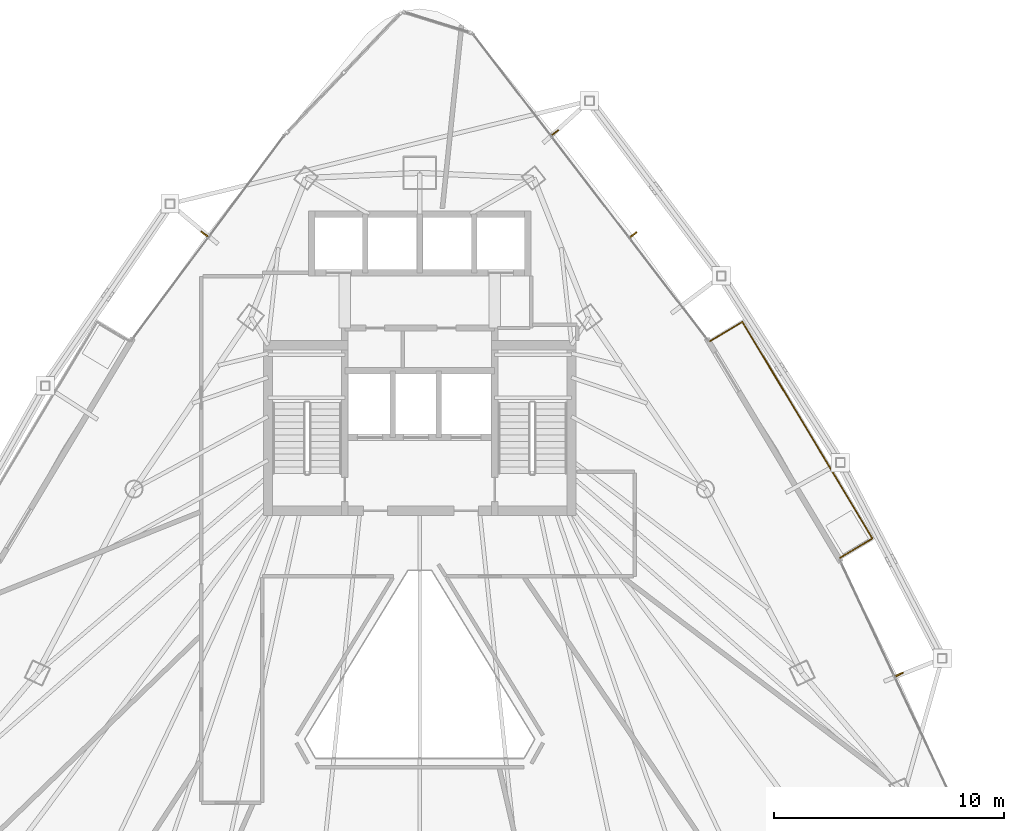
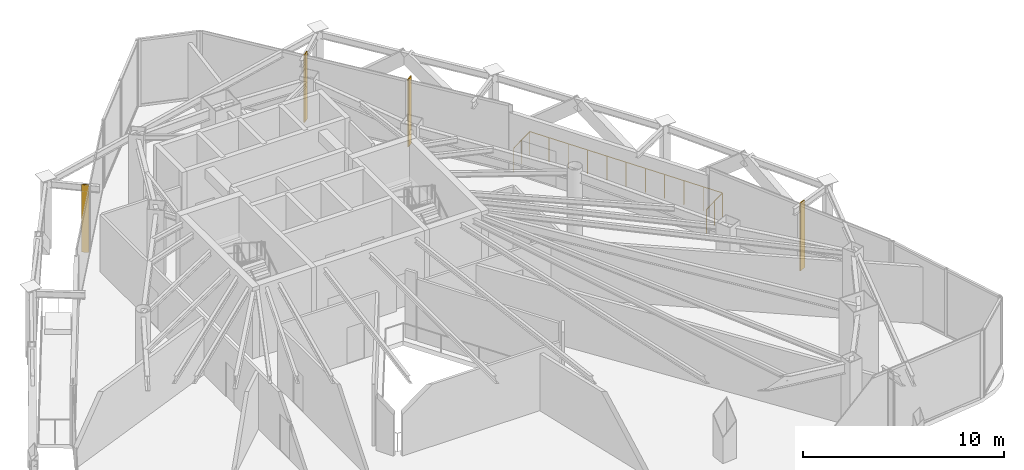
# One storey, part 28 of 28: 4 shading devices, 1 railing.
"""IFC4 building model written with IfcOpenShell, lengths in metres."""

from ifc_helpers import new_model, si_unit, direction, frame, origin, origin_2d, place, context, subcontext, project, spatial, rectangle, circle, extrude, material, layer, layer_set, type_object, element, save


model = new_model("IFC4")

# Units and contexts
model_context = context("Model", 3, precision=1e-05, world=origin(), true_north=direction((0.0, 1.0)))
body_context = subcontext(model_context, "Body", "Model", "MODEL_VIEW")
ifc_project = project(units=[si_unit("LENGTHUNIT", "METRE"), si_unit("AREAUNIT", "SQUARE_METRE"), si_unit("VOLUMEUNIT", "CUBIC_METRE"), si_unit("PLANEANGLEUNIT", "RADIAN"), si_unit("MASSUNIT", "GRAM", prefix="KILO")], contexts=[model_context])

# Site, building, storey
site_placement = place(None, origin())
site = spatial("IfcSite", under=ifc_project, at=site_placement, CompositionType="ELEMENT")
building_placement = place(site_placement, origin())
building = spatial("IfcBuilding", under=site, at=building_placement, Name="Orvanel Arch Residences", CompositionType="ELEMENT")
storey_placement = place(building_placement, frame((0.0, 0.0, 146.300048828125)))
storey = spatial("IfcBuildingStorey", under=building, at=storey_placement, Name="L41", CompositionType="ELEMENT", Elevation=146.300048828125)

# Shading devices
ifc_material = material(Name="Bronze-anodised aluminium AA6063-T6", Category="aluminium")
ifc_layer = layer(ifc_material, 0.06005859375)
ifc_layer_set = layer_set([ifc_layer], Name="Bronze-anodised aluminium AA6063-T6")
shading_device_type = type_object("IfcShadingDeviceType", Name="FIN-BRZ-380", PredefinedType="USERDEFINED", material=ifc_layer_set)
for number, where, z_axis, x_axis, name in (
    (1, (23.635986328125, 38.737060546875, 0.0), (0.0, 0.0, 1.0), (-0.801775644244, 0.597625146976, 0.0), "L41 Anodised Bronze Mullion FIN 01"),
    (2, (53.85791015625, 19.575927734375, 0.0), (0.0, 0.0, 1.0), (0.904827052466, 0.425779291565, 0.0), "L41 Anodised Bronze Mullion FIN 01"),
    (3, (42.291015625, 38.705078125, 0.0), (0.0, 0.0, 1.0), (0.793353340291, 0.608761429009, 0.0), "L41 Anodised Bronze Mullion FIN 01"),
    (4, (38.884033203125, 43.14697265625, 0.0), (0.0, 0.0, 1.0), (0.793353340291, 0.608761429009, 0.0), "L41 Anodised Bronze Mullion FIN 02"),
):
    element("IfcShadingDevice", number, at=place(storey_placement, frame(where, z_axis=z_axis, x_axis=x_axis)), inside=storey, type_object=shading_device_type, Name=name, ObjectType="FIN", PredefinedType="USERDEFINED", context=body_context, shape_type="SweptSolid", body=[
        extrude(rectangle(XDim=0.3798828125, YDim=0.06005859375, at=origin_2d()), origin(), (0.0, 0.0, 1.0), 4.110107421875),
    ])

# Railing
railing_type = type_object("IfcRailingType", Name="RL-BAL-1480", PredefinedType="BALUSTRADE", material=ifc_material)
railing_placement = place(storey_placement, frame((51.282958984375, 24.65087890625, 0.0)))
element("IfcRailing", 5, at=railing_placement, inside=storey, type_object=railing_type, Name="L41 Balcony Perimeter Guardrail Face 3", PredefinedType="BALUSTRADE", context=body_context, shape_type="SweptSolid", body=[
    extrude(circle(Radius=0.02392578125, at=origin_2d()), frame((0.001220703125, 0.000732421875, 1.4560546875), z_axis=(0.857479796858, 0.51451763622, 0.0), x_axis=(-0.51451763622, 0.857479796858, 0.0)), (0.0, 0.0, 1.0), 1.637939453125),
    extrude(circle(Radius=0.02392578125, at=origin_2d()), frame((1.40625, 0.845458984375, 1.4560546875), z_axis=(-0.514440220839, 0.85752624402, 0.0), x_axis=(-0.85752624402, -0.514440220839, 0.0)), (0.0, 0.0, 1.0), 10.98779296875),
    extrude(circle(Radius=0.02392578125, at=origin_2d()), frame((-4.248291015625, 10.268310546875, 1.4560546875), z_axis=(-0.857387817543, -0.514670895164, 0.0), x_axis=(0.514670895164, -0.857387817543, 0.0)), (0.0, 0.0, 1.0), 1.636962890625),
    extrude(circle(Radius=0.02099609375, at=origin_2d()), origin(), (0.0, 0.0, 1.0), 1.429931640625),
    extrude(circle(Radius=0.02099609375, at=origin_2d()), frame((0.70361328125, 0.422119140625, 0.0)), (0.0, 0.0, 1.0), 1.429931640625),
    extrude(circle(Radius=0.02099609375, at=origin_2d()), frame((1.406982421875, 0.84423828125, 0.0)), (0.0, 0.0, 1.0), 1.429931640625),
    extrude(circle(Radius=0.02099609375, at=origin_2d()), frame((0.841552734375, 1.78662109375, 0.0)), (0.0, 0.0, 1.0), 1.429931640625),
    extrude(circle(Radius=0.02099609375, at=origin_2d()), frame((0.276123046875, 2.729248046875, 0.0)), (0.0, 0.0, 1.0), 1.429931640625),
    extrude(circle(Radius=0.02099609375, at=origin_2d()), frame((-0.289306640625, 3.671630859375, 0.0)), (0.0, 0.0, 1.0), 1.429931640625),
    extrude(circle(Radius=0.02099609375, at=origin_2d()), frame((-0.854736328125, 4.6142578125, 0.0)), (0.0, 0.0, 1.0), 1.429931640625),
    extrude(circle(Radius=0.02099609375, at=origin_2d()), frame((-1.419921875, 5.556640625, 0.0)), (0.0, 0.0, 1.0), 1.429931640625),
    extrude(circle(Radius=0.02099609375, at=origin_2d()), frame((-1.9853515625, 6.4990234375, 0.0)), (0.0, 0.0, 1.0), 1.429931640625),
    extrude(circle(Radius=0.02099609375, at=origin_2d()), frame((-2.55078125, 7.441650390625, 0.0)), (0.0, 0.0, 1.0), 1.429931640625),
    extrude(circle(Radius=0.02099609375, at=origin_2d()), frame((-3.1162109375, 8.384033203125, 0.0)), (0.0, 0.0, 1.0), 1.429931640625),
    extrude(circle(Radius=0.02099609375, at=origin_2d()), frame((-3.681640625, 9.32666015625, 0.0)), (0.0, 0.0, 1.0), 1.429931640625),
    extrude(circle(Radius=0.02099609375, at=origin_2d()), frame((-4.2470703125, 10.26904296875, 0.0)), (0.0, 0.0, 1.0), 1.429931640625),
    extrude(circle(Radius=0.02099609375, at=origin_2d()), frame((-4.9501953125, 9.84716796875, 0.0)), (0.0, 0.0, 1.0), 1.429931640625),
    extrude(circle(Radius=0.02099609375, at=origin_2d()), frame((-5.653076171875, 9.425048828125, 0.0)), (0.0, 0.0, 1.0), 1.429931640625),
])

save(model, "model.ifc")
